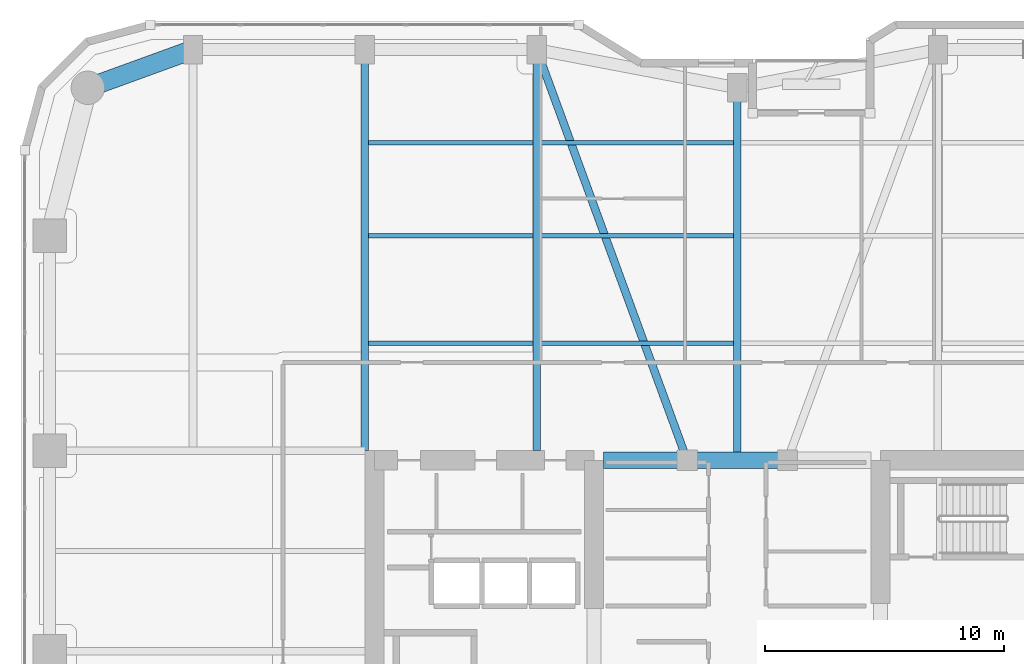
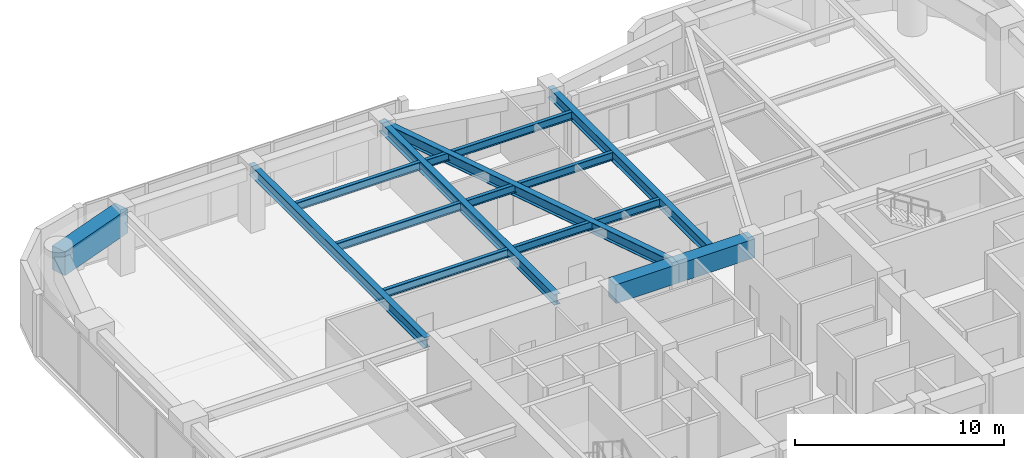
# One storey, part 12 of 24: 13 beams.
"""IFC4 building model written with IfcOpenShell, lengths in metres."""

import ifcopenshell
import ifcopenshell.guid

model = None  # the IFC model being written
_history = None  # IfcOwnerHistory: only IFC2X3 demands one
_inside = {}  # id of a spatial element -> (the spatial element, [elements in it])
_under = {}  # id of a project, library or spatial element -> (it, [spatial elements below it])
_declared = {}  # id of a project -> (the project, [libraries it declares])
_typed = {}  # id of a type object -> (the type object, [elements of that type])
_made_of = {}  # id of a material, layer set ... -> (it, [elements and type objects made of it])


def new_model(schema):
    """Start an empty IFC model of exactly this schema.

    Asked for "IFC4X3", IfcOpenShell would pick the latest addendum, in which some entities
    have other attributes; the version numbers below select the first issue.
    IFC2X3 requires an IfcOwnerHistory on every rooted entity: one is made here for all.
    """
    global model, _history
    if schema == "IFC4X3":
        model = ifcopenshell.file(schema_version=(4, 3, 0, 0))
    else:
        model = ifcopenshell.file(schema=schema)
    _inside.clear()
    _under.clear()
    _declared.clear()
    _typed.clear()
    _made_of.clear()
    _history = None
    if model.schema == "IFC2X3":
        org = make("IfcOrganization", Name="unknown")
        user = make(
            "IfcPersonAndOrganization",
            ThePerson=make("IfcPerson", FamilyName="unknown"),
            TheOrganization=org,
        )
        app = make(
            "IfcApplication",
            ApplicationDeveloper=org,
            Version="unknown",
            ApplicationFullName="unknown",
            ApplicationIdentifier="unknown",
        )
        _history = make(
            "IfcOwnerHistory",
            OwningUser=user,
            OwningApplication=app,
            ChangeAction="ADDED",
            CreationDate=0,
        )
    return model


def make(cls, **values):
    """One entity of the class cls with the attributes given. An attribute that is None is left unset."""
    return model.create_entity(
        cls, **{name: value for name, value in values.items() if value is not None}
    )


def rooted(cls, **values):
    """An entity with a GlobalId (a new one), such as an element, a storey or a relation."""
    return make(cls, GlobalId=ifcopenshell.guid.new(), OwnerHistory=_history, **values)


def si_unit(unit_type, name, prefix=None):
    """IfcSIUnit, for example si_unit("LENGTHUNIT", "METRE", prefix="MILLI")."""
    return make("IfcSIUnit", UnitType=unit_type, Prefix=prefix, Name=name)


def assignment(units):
    """IfcUnitAssignment: the units of a project."""
    return None if units is None else make("IfcUnitAssignment", Units=units)


def point(xyz):
    """IfcCartesianPoint."""
    return None if xyz is None else make("IfcCartesianPoint", Coordinates=xyz)


def direction(xyz):
    """IfcDirection."""
    return None if xyz is None else make("IfcDirection", DirectionRatios=xyz)


def frame(location, z_axis=None, x_axis=None):
    """IfcAxis2Placement3D, a coordinate frame: its origin and axes. An axis left out is left unset."""
    return make(
        "IfcAxis2Placement3D",
        Location=point(location),
        Axis=direction(z_axis),
        RefDirection=direction(x_axis),
    )


def frame_2d(location, x_axis=None):
    """IfcAxis2Placement2D, a coordinate frame in the plane: its origin and x axis."""
    return make(
        "IfcAxis2Placement2D", Location=point(location), RefDirection=direction(x_axis)
    )


def origin():
    """The frame at (0, 0, 0) with its axes left unset."""
    return frame((0.0, 0.0, 0.0))


def origin_2d():
    """The frame at (0, 0) in the plane with its x axis left unset."""
    return frame_2d((0.0, 0.0))


def place(relative_to, where):
    """IfcLocalPlacement: puts the frame where relative to a parent placement (None: the world)."""
    return make(
        "IfcLocalPlacement", PlacementRelTo=relative_to, RelativePlacement=where
    )


def context(
    kind, dimensions, precision=None, world=None, true_north=None, identifier=None
):
    """IfcGeometricRepresentationContext, for example the 3D "Model" context."""
    return make(
        "IfcGeometricRepresentationContext",
        ContextIdentifier=identifier,
        ContextType=kind,
        CoordinateSpaceDimension=dimensions,
        Precision=precision,
        WorldCoordinateSystem=world,
        TrueNorth=true_north,
    )


def subcontext(parent, identifier, kind, view, scale=None):
    """IfcGeometricRepresentationSubContext, for example "Body" below "Model"."""
    return make(
        "IfcGeometricRepresentationSubContext",
        ContextIdentifier=identifier,
        ContextType=kind,
        ParentContext=parent,
        TargetScale=scale,
        TargetView=view,
    )


def project(units=None, contexts=None):
    """IfcProject with its units and contexts."""
    return rooted(
        "IfcProject",
        Name="project",
        RepresentationContexts=contexts,
        UnitsInContext=assignment(units),
    )


def spatial(cls, under=None, at=None, **own):
    """A site, building, storey or space (cls), placed at a placement, below another one or the project."""
    s = rooted(cls, ObjectPlacement=at, **own)
    if under is not None:
        _under.setdefault(under.id(), (under, []))[1].append(s)
    return s


def profile(cls, at=None, kind="AREA", **sizes):
    """A parametric profile (cls). Its sizes go by their IFC names, for example OverallWidth=200.0."""
    return make(cls, ProfileType=kind, Position=at, **sizes)


def rectangle(**sizes):
    """IfcRectangleProfileDef."""
    return profile("IfcRectangleProfileDef", **sizes)


def i_section(**sizes):
    """IfcIShapeProfileDef."""
    return profile("IfcIShapeProfileDef", **sizes)


def extrude(swept, where, along, depth):
    """IfcExtrudedAreaSolid: the profile swept, set in the frame where, extruded along a direction by depth."""
    return make(
        "IfcExtrudedAreaSolid",
        SweptArea=swept,
        Position=where,
        ExtrudedDirection=direction(along),
        Depth=depth,
    )


def shape(context_of_items, identifier, shape_type, items):
    """IfcShapeRepresentation: the items that make up one representation, for example the "Body"."""
    return make(
        "IfcShapeRepresentation",
        ContextOfItems=context_of_items,
        RepresentationIdentifier=identifier,
        RepresentationType=shape_type,
        Items=items,
    )


def material(Name=None, Category=None):
    """IfcMaterial."""
    return make("IfcMaterial", Name=Name, Category=Category)


def material_profile(
    of_material, cross_section, Name=None, Category=None, Priority=None
):
    """IfcMaterialProfile: a cross section and its material."""
    return make(
        "IfcMaterialProfile",
        Name=Name,
        Material=of_material,
        Profile=cross_section,
        Priority=Priority,
        Category=Category,
    )


def profile_set(profiles, Name=None, composite=None):
    """IfcMaterialProfileSet."""
    return make(
        "IfcMaterialProfileSet",
        Name=Name,
        MaterialProfiles=profiles,
        CompositeProfile=composite,
    )


def made_of(thing, what):
    """Note that an element or type object is made of a material, layer set ...; save() writes the relation."""
    if what is not None:
        _made_of.setdefault(what.id(), (what, []))[1].append(thing)
    return thing


def type_object(cls, material=None, **own):
    """A type object (cls), such as IfcWallType, which elements share."""
    return made_of(rooted(cls, **own), material)


def element(
    cls,
    number,
    at=None,
    inside=None,
    cuts=None,
    type_object=None,
    material=None,
    context=None,
    identifier="Body",
    shape_type=None,
    held_by="IfcProductDefinitionShape",
    body=None,
    shapes=None,
    **own,
):
    """One element of the class cls, such as IfcWall. Its Tag is "e" and its number.

    at: its placement. inside: the storey or other place that contains it. cuts: it is an
    opening in that element (IfcRelVoidsElement). A single representation is given by context,
    identifier, shape_type and body (its items); several are given by shapes. held_by: the class
    of the entity that holds the representations. save() writes the other relations.
    """
    e = rooted(cls, Tag="e%d" % number, ObjectPlacement=at, **own)
    if body is not None:
        shapes = [shape(context, identifier, shape_type, body)]
    if shapes is not None:
        e.Representation = make(held_by, Representations=shapes)
    if inside is not None:
        _inside.setdefault(inside.id(), (inside, []))[1].append(e)
    if cuts is not None:
        rooted(
            "IfcRelVoidsElement", RelatingBuildingElement=cuts, RelatedOpeningElement=e
        )
    if type_object is not None:
        _typed.setdefault(type_object.id(), (type_object, []))[1].append(e)
    return made_of(e, material)


def aggregate(whole, parts):
    """IfcRelAggregates: a whole, such as a stair, and the parts it consists of."""
    return rooted("IfcRelAggregates", RelatingObject=whole, RelatedObjects=parts)


def save(model, path):
    """Write the relations noted so far, then the file.

    IfcRelAggregates (storeys below a building ...), IfcRelContainedInSpatialStructure (elements
    in a storey), IfcRelDefinesByType, IfcRelAssociatesMaterial and IfcRelDeclares: one each for
    every whole, place, type object, material and project.
    """
    for whole, parts in _under.values():
        aggregate(whole, parts)
    for where, things in _inside.values():
        rooted(
            "IfcRelContainedInSpatialStructure",
            RelatedElements=things,
            RelatingStructure=where,
        )
    for kind, things in _typed.values():
        rooted("IfcRelDefinesByType", RelatedObjects=things, RelatingType=kind)
    for what, things in _made_of.values():
        rooted("IfcRelAssociatesMaterial", RelatedObjects=things, RelatingMaterial=what)
    for by, libraries in _declared.values():
        rooted("IfcRelDeclares", RelatingContext=by, RelatedDefinitions=libraries)
    model.write(path)


model = new_model("IFC4")

# Units and contexts
model_context = context("Model", 3, precision=1e-05, world=origin(), true_north=direction((0.0, 1.0)))
body_context = subcontext(model_context, "Body", "Model", "MODEL_VIEW")
ifc_project = project(units=[si_unit("LENGTHUNIT", "METRE"), si_unit("AREAUNIT", "SQUARE_METRE"), si_unit("VOLUMEUNIT", "CUBIC_METRE"), si_unit("PLANEANGLEUNIT", "RADIAN"), si_unit("MASSUNIT", "GRAM", prefix="KILO")], contexts=[model_context])

# Site, building, storey
site_placement = place(None, origin())
site = spatial("IfcSite", under=ifc_project, at=site_placement, CompositionType="ELEMENT")
building_placement = place(site_placement, origin())
building = spatial("IfcBuilding", under=site, at=building_placement, Name="Kiyonajd Concourse Tower", CompositionType="ELEMENT")
storey_placement = place(building_placement, frame((0.0, 0.0, 97.5)))
storey = spatial("IfcBuildingStorey", under=building, at=storey_placement, Name="L25", CompositionType="ELEMENT", Elevation=97.5)

# Beams
ifc_material_1 = material(Name="Concrete C70/85", Category="concrete")
ifc_material_profile_1 = material_profile(ifc_material_1, rectangle(XDim=0.699951171875, YDim=1.10009765625, at=origin_2d()), Name="RCBM-700x1100")
ifc_profile_set_1 = profile_set([ifc_material_profile_1], Name="Concrete C70/85")
beam_type_1 = type_object("IfcBeamType", Name="BM-COUP-1100", PredefinedType="LINTEL", material=ifc_profile_set_1)
beam_1_placement = place(storey_placement, frame((42.39990234375, 44.0, 3.090087890625), z_axis=(1.0, 0.0, 0.0), x_axis=(0.0, 1.0, 0.0)))
element("IfcBeam", 1, at=beam_1_placement, inside=storey, type_object=beam_type_1, Name="L25 Core Coupling Beam N1", PredefinedType="LINTEL", context=body_context, shape_type="SweptSolid", body=[
    extrude(rectangle(XDim=0.699951171875, YDim=1.10009765625, at=origin_2d()), origin(), (0.0, 0.0, 1.0), 3.5),
])
beam_2_placement = place(storey_placement, frame((45.89990234375, 44.0, 3.090087890625), z_axis=(1.0, 0.0, 0.0), x_axis=(0.0, 1.0, 0.0)))
element("IfcBeam", 2, at=beam_2_placement, inside=storey, type_object=beam_type_1, Name="L25 Core Coupling Beam N2", PredefinedType="LINTEL", context=body_context, shape_type="SweptSolid", body=[
    extrude(rectangle(XDim=0.699951171875, YDim=1.10009765625, at=origin_2d()), origin(), (0.0, 0.0, 1.0), 4.2001953125),
])
ifc_material_2 = material(Name="Steel ASTM A992 Grade 50", Category="steel")
ifc_material_profile_2 = material_profile(ifc_material_2, i_section(OverallWidth=0.19189453125, OverallDepth=0.462890625, WebThickness=0.010498046875, FlangeThickness=0.017578125, at=origin_2d()), Name="W460X89")
ifc_profile_set_2 = profile_set([ifc_material_profile_2], Name="Steel ASTM A992 Grade 50")
beam_type_2 = type_object("IfcBeamType", Name="BM-JST-460B", PredefinedType="JOIST", material=ifc_profile_set_2)
beam_3_placement = place(storey_placement, frame((32.5634765625, 48.89990234375, 3.408447265625), z_axis=(1.0, 0.0, 0.0), x_axis=(0.0, 1.0, 0.0)))
element("IfcBeam", 3, at=beam_3_placement, inside=storey, type_object=beam_type_2, Name="L25 Secondary Floor Joist", PredefinedType="JOIST", context=body_context, shape_type="SweptSolid", body=[
    extrude(i_section(OverallWidth=0.19189453125, OverallDepth=0.462890625, WebThickness=0.010498046875, FlangeThickness=0.017578125, at=origin_2d()), origin(), (0.0, 0.0, 1.0), 6.873046875),
])
beam_4_placement = place(storey_placement, frame((39.763427734375, 48.89990234375, 3.408447265625), z_axis=(1.0, 0.0, 0.0), x_axis=(0.0, 1.0, 0.0)))
element("IfcBeam", 4, at=beam_4_placement, inside=storey, type_object=beam_type_2, Name="L25 Secondary Floor Joist", PredefinedType="JOIST", context=body_context, shape_type="SweptSolid", body=[
    extrude(i_section(OverallWidth=0.19189453125, OverallDepth=0.462890625, WebThickness=0.010498046875, FlangeThickness=0.017578125, at=origin_2d()), origin(), (0.0, 0.0, 1.0), 8.072998046875),
])
beam_5_placement = place(storey_placement, frame((32.5634765625, 53.39990234375, 3.408447265625), z_axis=(1.0, 0.0, 0.0), x_axis=(0.0, 1.0, 0.0)))
element("IfcBeam", 5, at=beam_5_placement, inside=storey, type_object=beam_type_2, Name="L25 Secondary Floor Joist", PredefinedType="JOIST", context=body_context, shape_type="SweptSolid", body=[
    extrude(i_section(OverallWidth=0.19189453125, OverallDepth=0.462890625, WebThickness=0.010498046875, FlangeThickness=0.017578125, at=origin_2d()), origin(), (0.0, 0.0, 1.0), 6.873046875),
])
beam_6_placement = place(storey_placement, frame((39.763427734375, 53.39990234375, 3.408447265625), z_axis=(1.0, 0.0, 0.0), x_axis=(0.0, 1.0, 0.0)))
element("IfcBeam", 6, at=beam_6_placement, inside=storey, type_object=beam_type_2, Name="L25 Secondary Floor Joist", PredefinedType="JOIST", context=body_context, shape_type="SweptSolid", body=[
    extrude(i_section(OverallWidth=0.19189453125, OverallDepth=0.462890625, WebThickness=0.010498046875, FlangeThickness=0.017578125, at=origin_2d()), origin(), (0.0, 0.0, 1.0), 8.072998046875),
])
beam_7_placement = place(storey_placement, frame((32.5634765625, 57.300048828125, 3.408447265625), z_axis=(1.0, 0.0, 0.0), x_axis=(0.0, 1.0, 0.0)))
element("IfcBeam", 7, at=beam_7_placement, inside=storey, type_object=beam_type_2, Name="L25 Secondary Floor Joist", PredefinedType="JOIST", context=body_context, shape_type="SweptSolid", body=[
    extrude(i_section(OverallWidth=0.19189453125, OverallDepth=0.462890625, WebThickness=0.010498046875, FlangeThickness=0.017578125, at=origin_2d()), origin(), (0.0, 0.0, 1.0), 6.873046875),
])
beam_8_placement = place(storey_placement, frame((39.763427734375, 57.300048828125, 3.408447265625), z_axis=(1.0, 0.0, 0.0), x_axis=(0.0, 1.0, 0.0)))
element("IfcBeam", 8, at=beam_8_placement, inside=storey, type_object=beam_type_2, Name="L25 Secondary Floor Joist", PredefinedType="JOIST", context=body_context, shape_type="SweptSolid", body=[
    extrude(i_section(OverallWidth=0.19189453125, OverallDepth=0.462890625, WebThickness=0.010498046875, FlangeThickness=0.017578125, at=origin_2d()), origin(), (0.0, 0.0, 1.0), 8.072998046875),
])
ifc_material_profile_3 = material_profile(ifc_material_2, i_section(OverallWidth=0.326904296875, OverallDepth=0.6220703125, WebThickness=0.015380859375, FlangeThickness=0.0244140625, at=origin_2d()), Name="W610X195")
ifc_profile_set_3 = profile_set([ifc_material_profile_3], Name="Steel ASTM A992 Grade 50")
beam_type_3 = type_object("IfcBeamType", Name="BM-TWR-610A", PredefinedType="BEAM", material=ifc_profile_set_3)
beam_9_placement = place(storey_placement, frame((39.60009765625, 61.199951171875, 3.3291015625), z_axis=(0.343925269715, -0.938997022813, 0.0), x_axis=(0.938997022813, 0.343925269715, 0.0)))
element("IfcBeam", 9, at=beam_9_placement, inside=storey, type_object=beam_type_3, Name="L25 Core Tie Girder", PredefinedType="BEAM", context=body_context, shape_type="SweptSolid", body=[
    extrude(i_section(OverallWidth=0.326904296875, OverallDepth=0.6220703125, WebThickness=0.015380859375, FlangeThickness=0.0244140625, at=origin_2d()), origin(), (0.0, 0.0, 1.0), 18.3173828125),
])
for number, where, z_axis, x_axis, name in (
    (10, (32.39990234375, 44.39990234375, 3.3291015625), (0.0, 1.0, 0.0), (-1.0, 0.0, 0.0), "L25 North Lease Girder"),
    (11, (39.60009765625, 44.39990234375, 3.3291015625), (0.0, 1.0, 0.0), (-1.0, 0.0, 0.0), "L25 North Lease Girder"),
):
    element("IfcBeam", number, at=place(storey_placement, frame(where, z_axis=z_axis, x_axis=x_axis)), inside=storey, type_object=beam_type_3, Name=name, PredefinedType="BEAM", context=body_context, shape_type="SweptSolid", body=[
        extrude(i_section(OverallWidth=0.326904296875, OverallDepth=0.6220703125, WebThickness=0.015380859375, FlangeThickness=0.0244140625, at=origin_2d()), origin(), (0.0, 0.0, 1.0), 16.800048828125),
    ])
beam_10_placement = place(storey_placement, frame((48.0, 44.0, 3.3291015625), z_axis=(0.0, 1.0, 0.0), x_axis=(-1.0, 0.0, 0.0)))
element("IfcBeam", 12, at=beam_10_placement, inside=storey, type_object=beam_type_3, Name="L25 North Ribbon Girder", PredefinedType="BEAM", context=body_context, shape_type="SweptSolid", body=[
    extrude(i_section(OverallWidth=0.326904296875, OverallDepth=0.6220703125, WebThickness=0.015380859375, FlangeThickness=0.0244140625, at=origin_2d()), origin(), (0.0, 0.0, 1.0), 15.60009765625),
])
ifc_material_3 = material(Name="Concrete C60/75", Category="concrete")
ifc_material_profile_4 = material_profile(ifc_material_3, rectangle(XDim=0.800048828125, YDim=1.39990234375, at=origin_2d()), Name="RCBM-800x1400")
ifc_profile_set_4 = profile_set([ifc_material_profile_4], Name="Concrete C60/75")
beam_type_4 = type_object("IfcBeamType", Name="BM-XFER-RC", PredefinedType="BEAM", material=ifc_profile_set_4)
beam_11_placement = place(storey_placement, frame((25.199951171875, 61.199951171875, 2.93994140625), z_axis=(-0.939801036019, -0.341722127901, 0.0), x_axis=(0.341722127901, -0.939801036019, 0.0)))
element("IfcBeam", 13, at=beam_11_placement, inside=storey, type_object=beam_type_4, Name="L25 Perimeter Bundled Tube Spandrel", PredefinedType="BEAM", context=body_context, shape_type="SweptSolid", body=[
    extrude(rectangle(XDim=0.800048828125, YDim=1.39990234375, at=origin_2d()), origin(), (0.0, 0.0, 1.0), 4.681640625),
])

save(model, "model.ifc")
